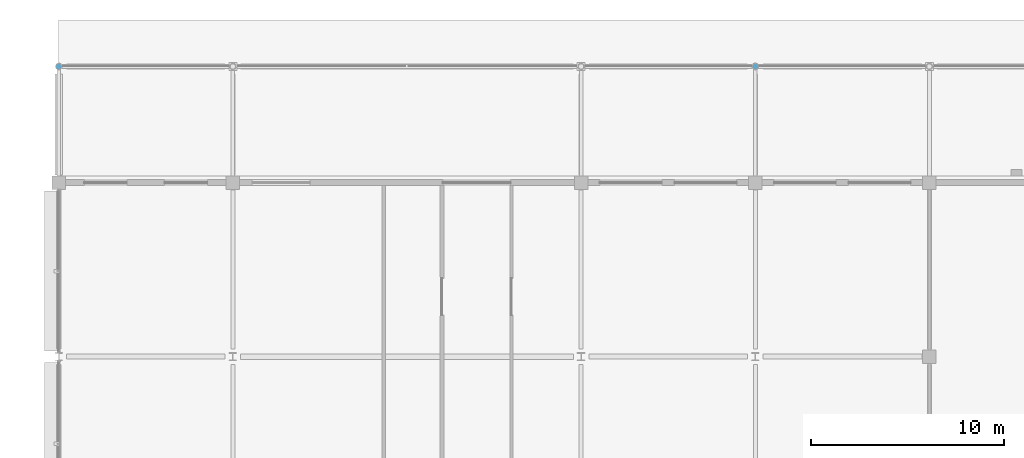
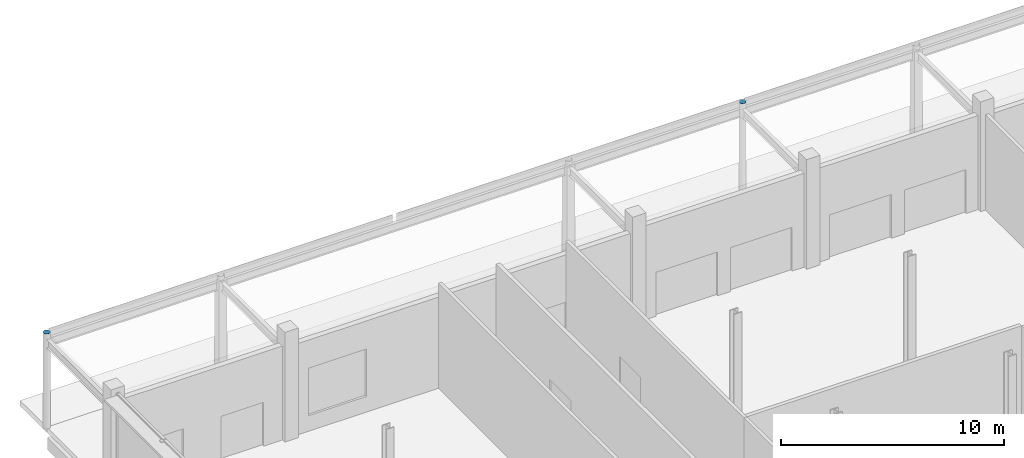
# One storey, part 51 of 84: 2 discrete accessories.
"""IFC4 building model written with IfcOpenShell, lengths in metres."""

from ifc_helpers import new_model, si_unit, direction, frame, origin, place, context, subcontext, project, spatial, polyline, outline, extrude, material, layer, layer_set, type_object, element, save


model = new_model("IFC4")

# Units and contexts
model_context = context("Model", 3, precision=1e-05, world=origin(), true_north=direction((0.0, 1.0)))
body_context = subcontext(model_context, "Body", "Model", "MODEL_VIEW")
ifc_project = project(units=[si_unit("LENGTHUNIT", "METRE"), si_unit("AREAUNIT", "SQUARE_METRE"), si_unit("VOLUMEUNIT", "CUBIC_METRE"), si_unit("PLANEANGLEUNIT", "RADIAN"), si_unit("MASSUNIT", "GRAM", prefix="KILO")], contexts=[model_context])

# Site, building, storey
site_placement = place(None, origin())
site = spatial("IfcSite", under=ifc_project, at=site_placement, CompositionType="ELEMENT")
building_placement = place(site_placement, origin())
building = spatial("IfcBuilding", under=site, at=building_placement, Name="Kisiwana Market Hall", CompositionType="ELEMENT")
storey_placement = place(building_placement, origin())
storey = spatial("IfcBuildingStorey", under=building, at=storey_placement, Name="L00", CompositionType="ELEMENT", Elevation=0.0)

# Discrete accessories
ifc_material = material(Name="Steel S355", Category="steel")
ifc_layer = layer(ifc_material, 0.011962890625)
ifc_layer_set = layer_set([ifc_layer], Name="ACC-ENDCAP-STL")
discrete_accessory_type = type_object("IfcDiscreteAccessoryType", Name="ACC-ENDCAP-STL", PredefinedType="USERDEFINED", material=ifc_layer_set)
discrete_accessory_1_placement = place(storey_placement, frame((0.0, 0.0, 5.199951171875)))
element("IfcDiscreteAccessory", 1, at=discrete_accessory_1_placement, inside=storey, type_object=discrete_accessory_type, Name="End cap plate EC-0001", ObjectType="End cap plate", PredefinedType="USERDEFINED", context=body_context, shape_type="SweptSolid", body=[
    extrude(outline(polyline([(0.162109375, 126.0), (0.156494140625, 126.0419921875), (0.140380859375, 126.0810546875), (0.114501953125, 126.114501953125), (0.0810546875, 126.140380859375), (0.0419921875, 126.156494140625), (0.0, 126.162109375), (-0.0419921875, 126.156494140625), (-0.0810546875, 126.140380859375), (-0.114501953125, 126.114501953125), (-0.140380859375, 126.0810546875), (-0.156494140625, 126.0419921875), (-0.162109375, 126.0), (-0.156494140625, 125.9580078125), (-0.140380859375, 125.9189453125), (-0.114501953125, 125.885498046875), (-0.0810546875, 125.859619140625), (-0.0419921875, 125.843505859375), (0.0, 125.837890625), (0.0419921875, 125.843505859375), (0.0810546875, 125.859619140625), (0.114501953125, 125.885498046875), (0.140380859375, 125.9189453125), (0.156494140625, 125.9580078125), (0.162109375, 126.0)])), origin(), (0.0, 0.0, 1.0), 0.011962890625),
])
discrete_accessory_2_placement = place(storey_placement, frame((0.0, 0.0, 5.199951171875)))
element("IfcDiscreteAccessory", 2, at=discrete_accessory_2_placement, inside=storey, type_object=discrete_accessory_type, Name="End cap plate EC-0002", ObjectType="End cap plate", PredefinedType="USERDEFINED", context=body_context, shape_type="SweptSolid", body=[
    extrude(outline(polyline([(36.161865234375, 126.0), (36.156494140625, 126.0419921875), (36.140380859375, 126.0810546875), (36.114501953125, 126.114501953125), (36.0810546875, 126.140380859375), (36.0419921875, 126.156494140625), (36.0, 126.162109375), (35.9580078125, 126.156494140625), (35.9189453125, 126.140380859375), (35.885498046875, 126.114501953125), (35.859619140625, 126.0810546875), (35.843505859375, 126.0419921875), (35.838134765625, 126.0), (35.843505859375, 125.9580078125), (35.859619140625, 125.9189453125), (35.885498046875, 125.885498046875), (35.9189453125, 125.859619140625), (35.9580078125, 125.843505859375), (36.0, 125.837890625), (36.0419921875, 125.843505859375), (36.0810546875, 125.859619140625), (36.114501953125, 125.885498046875), (36.140380859375, 125.9189453125), (36.156494140625, 125.9580078125), (36.161865234375, 126.0)])), origin(), (0.0, 0.0, 1.0), 0.011962890625),
])

save(model, "model.ifc")
